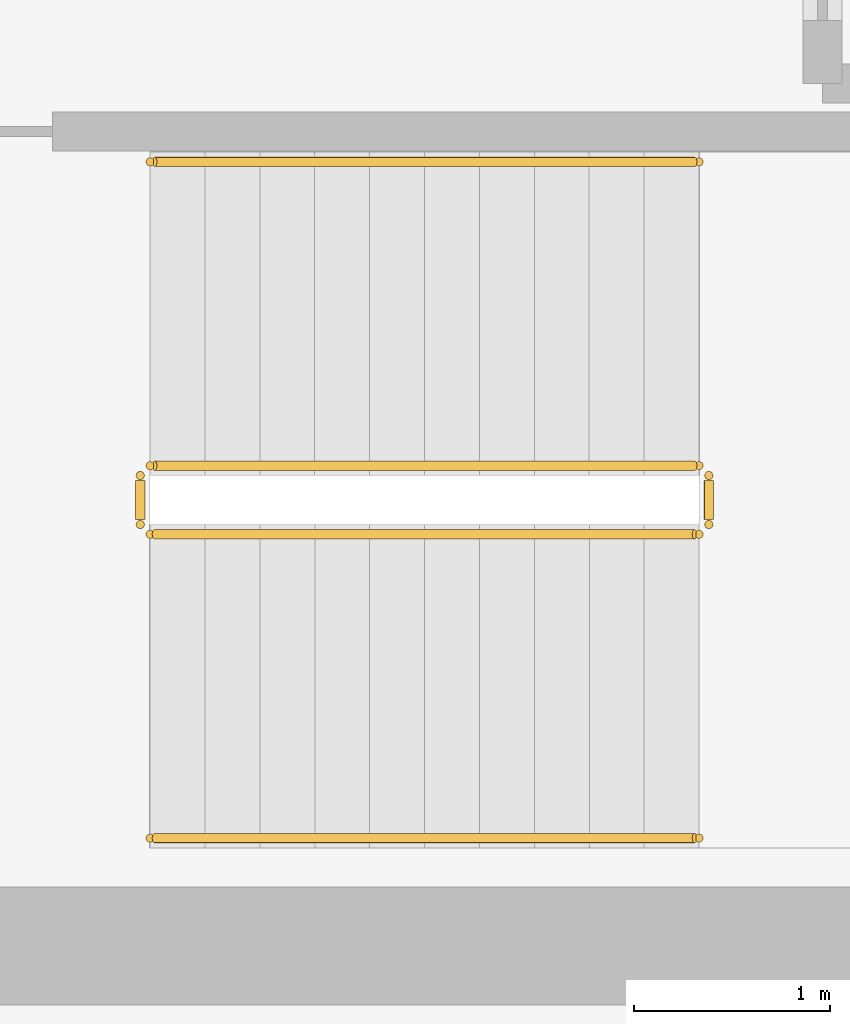
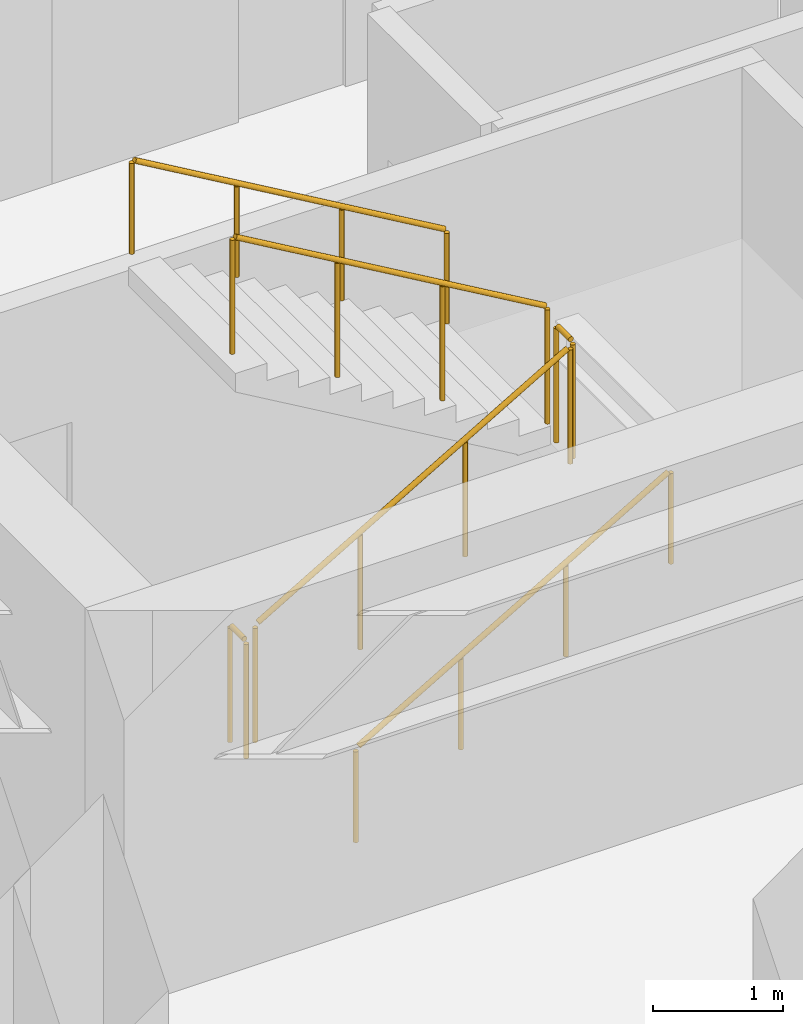
# One storey, part 13 of 13: 6 railings.
"""IFC4 building model written with IfcOpenShell, lengths in metres."""

import ifcopenshell
import ifcopenshell.guid

model = None  # the IFC model being written
_history = None  # IfcOwnerHistory: only IFC2X3 demands one
_inside = {}  # id of a spatial element -> (the spatial element, [elements in it])
_under = {}  # id of a project, library or spatial element -> (it, [spatial elements below it])
_declared = {}  # id of a project -> (the project, [libraries it declares])
_typed = {}  # id of a type object -> (the type object, [elements of that type])
_made_of = {}  # id of a material, layer set ... -> (it, [elements and type objects made of it])


def new_model(schema):
    """Start an empty IFC model of exactly this schema.

    Asked for "IFC4X3", IfcOpenShell would pick the latest addendum, in which some entities
    have other attributes; the version numbers below select the first issue.
    IFC2X3 requires an IfcOwnerHistory on every rooted entity: one is made here for all.
    """
    global model, _history
    if schema == "IFC4X3":
        model = ifcopenshell.file(schema_version=(4, 3, 0, 0))
    else:
        model = ifcopenshell.file(schema=schema)
    _inside.clear()
    _under.clear()
    _declared.clear()
    _typed.clear()
    _made_of.clear()
    _history = None
    if model.schema == "IFC2X3":
        org = make("IfcOrganization", Name="unknown")
        user = make(
            "IfcPersonAndOrganization",
            ThePerson=make("IfcPerson", FamilyName="unknown"),
            TheOrganization=org,
        )
        app = make(
            "IfcApplication",
            ApplicationDeveloper=org,
            Version="unknown",
            ApplicationFullName="unknown",
            ApplicationIdentifier="unknown",
        )
        _history = make(
            "IfcOwnerHistory",
            OwningUser=user,
            OwningApplication=app,
            ChangeAction="ADDED",
            CreationDate=0,
        )
    return model


def make(cls, **values):
    """One entity of the class cls with the attributes given. An attribute that is None is left unset."""
    return model.create_entity(
        cls, **{name: value for name, value in values.items() if value is not None}
    )


def rooted(cls, **values):
    """An entity with a GlobalId (a new one), such as an element, a storey or a relation."""
    return make(cls, GlobalId=ifcopenshell.guid.new(), OwnerHistory=_history, **values)


def si_unit(unit_type, name, prefix=None):
    """IfcSIUnit, for example si_unit("LENGTHUNIT", "METRE", prefix="MILLI")."""
    return make("IfcSIUnit", UnitType=unit_type, Prefix=prefix, Name=name)


def assignment(units):
    """IfcUnitAssignment: the units of a project."""
    return None if units is None else make("IfcUnitAssignment", Units=units)


def point(xyz):
    """IfcCartesianPoint."""
    return None if xyz is None else make("IfcCartesianPoint", Coordinates=xyz)


def direction(xyz):
    """IfcDirection."""
    return None if xyz is None else make("IfcDirection", DirectionRatios=xyz)


def frame(location, z_axis=None, x_axis=None):
    """IfcAxis2Placement3D, a coordinate frame: its origin and axes. An axis left out is left unset."""
    return make(
        "IfcAxis2Placement3D",
        Location=point(location),
        Axis=direction(z_axis),
        RefDirection=direction(x_axis),
    )


def frame_2d(location, x_axis=None):
    """IfcAxis2Placement2D, a coordinate frame in the plane: its origin and x axis."""
    return make(
        "IfcAxis2Placement2D", Location=point(location), RefDirection=direction(x_axis)
    )


def origin():
    """The frame at (0, 0, 0) with its axes left unset."""
    return frame((0.0, 0.0, 0.0))


def origin_2d():
    """The frame at (0, 0) in the plane with its x axis left unset."""
    return frame_2d((0.0, 0.0))


def place(relative_to, where):
    """IfcLocalPlacement: puts the frame where relative to a parent placement (None: the world)."""
    return make(
        "IfcLocalPlacement", PlacementRelTo=relative_to, RelativePlacement=where
    )


def context(
    kind, dimensions, precision=None, world=None, true_north=None, identifier=None
):
    """IfcGeometricRepresentationContext, for example the 3D "Model" context."""
    return make(
        "IfcGeometricRepresentationContext",
        ContextIdentifier=identifier,
        ContextType=kind,
        CoordinateSpaceDimension=dimensions,
        Precision=precision,
        WorldCoordinateSystem=world,
        TrueNorth=true_north,
    )


def subcontext(parent, identifier, kind, view, scale=None):
    """IfcGeometricRepresentationSubContext, for example "Body" below "Model"."""
    return make(
        "IfcGeometricRepresentationSubContext",
        ContextIdentifier=identifier,
        ContextType=kind,
        ParentContext=parent,
        TargetScale=scale,
        TargetView=view,
    )


def project(units=None, contexts=None):
    """IfcProject with its units and contexts."""
    return rooted(
        "IfcProject",
        Name="project",
        RepresentationContexts=contexts,
        UnitsInContext=assignment(units),
    )


def spatial(cls, under=None, at=None, **own):
    """A site, building, storey or space (cls), placed at a placement, below another one or the project."""
    s = rooted(cls, ObjectPlacement=at, **own)
    if under is not None:
        _under.setdefault(under.id(), (under, []))[1].append(s)
    return s


def profile(cls, at=None, kind="AREA", **sizes):
    """A parametric profile (cls). Its sizes go by their IFC names, for example OverallWidth=200.0."""
    return make(cls, ProfileType=kind, Position=at, **sizes)


def circle(**sizes):
    """IfcCircleProfileDef."""
    return profile("IfcCircleProfileDef", **sizes)


def extrude(swept, where, along, depth):
    """IfcExtrudedAreaSolid: the profile swept, set in the frame where, extruded along a direction by depth."""
    return make(
        "IfcExtrudedAreaSolid",
        SweptArea=swept,
        Position=where,
        ExtrudedDirection=direction(along),
        Depth=depth,
    )


def shape(context_of_items, identifier, shape_type, items):
    """IfcShapeRepresentation: the items that make up one representation, for example the "Body"."""
    return make(
        "IfcShapeRepresentation",
        ContextOfItems=context_of_items,
        RepresentationIdentifier=identifier,
        RepresentationType=shape_type,
        Items=items,
    )


def source(mapping_origin, context_of_items, identifier, shape_type, items):
    """IfcRepresentationMap: a shape defined once, which mapped items show again and again."""
    return make(
        "IfcRepresentationMap",
        MappingOrigin=mapping_origin,
        MappedRepresentation=shape(context_of_items, identifier, shape_type, items),
    )


def transform(
    local_origin,
    x_axis=None,
    y_axis=None,
    z_axis=None,
    scale=None,
    scale2=None,
    scale3=None,
    uniform=True,
):
    """IfcCartesianTransformationOperator3D, or its non-uniform kind. x_axis, y_axis, z_axis: its Axis1, 2, 3."""
    if uniform:
        return make(
            "IfcCartesianTransformationOperator3D",
            Axis1=direction(x_axis),
            Axis2=direction(y_axis),
            LocalOrigin=point(local_origin),
            Scale=scale,
            Axis3=direction(z_axis),
        )
    return make(
        "IfcCartesianTransformationOperator3DnonUniform",
        Axis1=direction(x_axis),
        Axis2=direction(y_axis),
        LocalOrigin=point(local_origin),
        Scale=scale,
        Axis3=direction(z_axis),
        Scale2=scale2,
        Scale3=scale3,
    )


def mapped(mapping_source, mapping_target):
    """IfcMappedItem: shows the shape of a source again, moved by a transform."""
    return make(
        "IfcMappedItem", MappingSource=mapping_source, MappingTarget=mapping_target
    )


def material(Name=None, Category=None):
    """IfcMaterial."""
    return make("IfcMaterial", Name=Name, Category=Category)


def layer(
    of_material, thickness, ventilated=None, Name=None, Category=None, Priority=None
):
    """IfcMaterialLayer: one layer of a wall or slab, of a material (None: an air gap)."""
    return make(
        "IfcMaterialLayer",
        Material=of_material,
        LayerThickness=thickness,
        IsVentilated=ventilated,
        Name=Name,
        Category=Category,
        Priority=Priority,
    )


def layer_set(layers, Name=None):
    """IfcMaterialLayerSet."""
    return make("IfcMaterialLayerSet", MaterialLayers=layers, LayerSetName=Name)


def made_of(thing, what):
    """Note that an element or type object is made of a material, layer set ...; save() writes the relation."""
    if what is not None:
        _made_of.setdefault(what.id(), (what, []))[1].append(thing)
    return thing


def type_object(cls, material=None, **own):
    """A type object (cls), such as IfcWallType, which elements share."""
    return made_of(rooted(cls, **own), material)


def element(
    cls,
    number,
    at=None,
    inside=None,
    cuts=None,
    type_object=None,
    material=None,
    context=None,
    identifier="Body",
    shape_type=None,
    held_by="IfcProductDefinitionShape",
    body=None,
    shapes=None,
    **own,
):
    """One element of the class cls, such as IfcWall. Its Tag is "e" and its number.

    at: its placement. inside: the storey or other place that contains it. cuts: it is an
    opening in that element (IfcRelVoidsElement). A single representation is given by context,
    identifier, shape_type and body (its items); several are given by shapes. held_by: the class
    of the entity that holds the representations. save() writes the other relations.
    """
    e = rooted(cls, Tag="e%d" % number, ObjectPlacement=at, **own)
    if body is not None:
        shapes = [shape(context, identifier, shape_type, body)]
    if shapes is not None:
        e.Representation = make(held_by, Representations=shapes)
    if inside is not None:
        _inside.setdefault(inside.id(), (inside, []))[1].append(e)
    if cuts is not None:
        rooted(
            "IfcRelVoidsElement", RelatingBuildingElement=cuts, RelatedOpeningElement=e
        )
    if type_object is not None:
        _typed.setdefault(type_object.id(), (type_object, []))[1].append(e)
    return made_of(e, material)


def aggregate(whole, parts):
    """IfcRelAggregates: a whole, such as a stair, and the parts it consists of."""
    return rooted("IfcRelAggregates", RelatingObject=whole, RelatedObjects=parts)


def save(model, path):
    """Write the relations noted so far, then the file.

    IfcRelAggregates (storeys below a building ...), IfcRelContainedInSpatialStructure (elements
    in a storey), IfcRelDefinesByType, IfcRelAssociatesMaterial and IfcRelDeclares: one each for
    every whole, place, type object, material and project.
    """
    for whole, parts in _under.values():
        aggregate(whole, parts)
    for where, things in _inside.values():
        rooted(
            "IfcRelContainedInSpatialStructure",
            RelatedElements=things,
            RelatingStructure=where,
        )
    for kind, things in _typed.values():
        rooted("IfcRelDefinesByType", RelatedObjects=things, RelatingType=kind)
    for what, things in _made_of.values():
        rooted("IfcRelAssociatesMaterial", RelatedObjects=things, RelatingMaterial=what)
    for by, libraries in _declared.values():
        rooted("IfcRelDeclares", RelatingContext=by, RelatedDefinitions=libraries)
    model.write(path)


model = new_model("IFC4")

# Units and contexts
model_context = context("Model", 3, precision=1e-05, world=origin(), true_north=direction((0.0, 1.0)))
body_context = subcontext(model_context, "Body", "Model", "MODEL_VIEW")
ifc_project = project(units=[si_unit("LENGTHUNIT", "METRE"), si_unit("AREAUNIT", "SQUARE_METRE"), si_unit("VOLUMEUNIT", "CUBIC_METRE"), si_unit("PLANEANGLEUNIT", "RADIAN"), si_unit("MASSUNIT", "GRAM", prefix="KILO")], contexts=[model_context])

# Site, building, storey
site_placement = place(None, origin())
site = spatial("IfcSite", under=ifc_project, at=site_placement, CompositionType="ELEMENT")
building_placement = place(site_placement, origin())
building = spatial("IfcBuilding", under=site, at=building_placement, Name="Kharzan Plaza Tower", CompositionType="ELEMENT")
storey_placement = place(building_placement, frame((0.0, 0.0, 161.10009765625)))
storey = spatial("IfcBuildingStorey", under=building, at=storey_placement, Name="L43", CompositionType="ELEMENT", Elevation=161.10009765625)

# Railings
ifc_material_1 = material(Name="Painted Galvanized Architectural Steel", Category="steel")
ifc_layer_1 = layer(ifc_material_1, 0.074951171875)
ifc_layer_set_1 = layer_set([ifc_layer_1], Name="Painted Galvanized Architectural Steel")
railing_type_1 = type_object("IfcRailingType", Name="RL-GUARD-1120", PredefinedType="BALUSTRADE", material=ifc_layer_set_1)
shared_shape_1 = source(origin(), body_context, "Body", "SweptSolid", [
    extrude(circle(Radius=0.02392578125, at=origin_2d()), frame((0.0, 0.0263671875, 1.09619140625), z_axis=(0.0, 1.0, 0.0), x_axis=(-1.0, 0.0, 0.0)), (0.0, 0.0, 1.0), 0.197021484375),
    extrude(circle(Radius=0.02099609375, at=origin_2d()), origin(), (0.0, 0.0, 1.0), 1.072021484375),
    extrude(circle(Radius=0.02099609375, at=origin_2d()), frame((0.0, 0.25, 0.0)), (0.0, 0.0, 1.0), 1.072021484375),
])
for number, where, name in (
    (1, (41.10009765625, 6.64990234375, 1.7998046875), "L43 ST-3 stair guard 2"),
    (2, (38.199951171875, 6.64990234375, 0.0), "L43 ST-3 stair guard 4"),
):
    element("IfcRailing", number, at=place(storey_placement, frame(where)), inside=storey, type_object=railing_type_1, Name=name, PredefinedType="BALUSTRADE", context=body_context, shape_type="MappedRepresentation", body=[
        mapped(shared_shape_1, transform((0.0, 0.0, 0.0), x_axis=(1.0, 0.0, 0.0), y_axis=(0.0, 1.0, 0.0), z_axis=(0.0, 0.0, 1.0))),
    ])
shared_shape_2 = source(origin(), body_context, "Body", "SweptSolid", [
    extrude(circle(Radius=0.02392578125, at=origin_2d()), frame((0.02294921875, 0.0, 1.109375), z_axis=(0.863393664356, 0.0, 0.504530851732), x_axis=(0.0, 1.0, 0.0)), (0.0, 0.0, 1.0), 3.190185546875),
    extrude(circle(Radius=0.02099609375, at=origin_2d()), origin(), (0.0, 0.0, 1.0), 1.072021484375),
    extrude(circle(Radius=0.02099609375, at=origin_2d()), frame((0.933349609375, 0.0, 0.54541015625)), (0.0, 0.0, 1.0), 1.072021484375),
    extrude(circle(Radius=0.02099609375, at=origin_2d()), frame((1.86669921875, 0.0, 1.0908203125)), (0.0, 0.0, 1.0), 1.072021484375),
    extrude(circle(Radius=0.02099609375, at=origin_2d()), frame((2.800048828125, 0.0, 1.63623046875)), (0.0, 0.0, 1.0), 1.072021484375),
])
railing_1_placement = place(storey_placement, frame((38.25, 6.60009765625, 0.16357421875)))
element("IfcRailing", 3, at=railing_1_placement, inside=storey, type_object=railing_type_1, Name="L43 ST-3 stair guard 1", PredefinedType="BALUSTRADE", context=body_context, shape_type="MappedRepresentation", body=[
    mapped(shared_shape_2, transform((0.0, 0.0, 0.0), x_axis=(1.0, 0.0, 0.0), y_axis=(0.0, 1.0, 0.0), z_axis=(0.0, 0.0, 1.0))),
])
shared_shape_3 = source(origin(), body_context, "Body", "SweptSolid", [
    extrude(circle(Radius=0.02392578125, at=origin_2d()), frame((-0.02294921875, 0.0, 1.109375), z_axis=(-0.863393664356, 0.0, 0.504530851732), x_axis=(0.0, -1.0, 0.0)), (0.0, 0.0, 1.0), 3.190185546875),
    extrude(circle(Radius=0.02099609375, at=origin_2d()), origin(), (0.0, 0.0, 1.0), 1.072021484375),
    extrude(circle(Radius=0.02099609375, at=origin_2d()), frame((-0.933349609375, 0.0, 0.54541015625)), (0.0, 0.0, 1.0), 1.072021484375),
    extrude(circle(Radius=0.02099609375, at=origin_2d()), frame((-1.86669921875, 0.0, 1.0908203125)), (0.0, 0.0, 1.0), 1.072021484375),
    extrude(circle(Radius=0.02099609375, at=origin_2d()), frame((-2.800048828125, 0.0, 1.63623046875)), (0.0, 0.0, 1.0), 1.072021484375),
])
railing_2_placement = place(storey_placement, frame((41.050048828125, 6.949951171875, 1.963623046875)))
element("IfcRailing", 4, at=railing_2_placement, inside=storey, type_object=railing_type_1, Name="L43 ST-3 stair guard 3", PredefinedType="BALUSTRADE", context=body_context, shape_type="MappedRepresentation", body=[
    mapped(shared_shape_3, transform((0.0, 0.0, 0.0), x_axis=(1.0, 0.0, 0.0), y_axis=(0.0, 1.0, 0.0), z_axis=(0.0, 0.0, 1.0))),
])
ifc_material_2 = material(Name="Brushed Stainless Steel", Category="steel")
ifc_layer_2 = layer(ifc_material_2, 0.050048828125)
ifc_layer_set_2 = layer_set([ifc_layer_2], Name="Brushed Stainless Steel")
railing_type_2 = type_object("IfcRailingType", Name="RL-STAIR-HR920", PredefinedType="HANDRAIL", material=ifc_layer_set_2)
shared_shape_4 = source(origin(), body_context, "Body", "SweptSolid", [
    extrude(circle(Radius=0.02392578125, at=origin_2d()), frame((0.02294921875, 0.0, 0.88916015625), z_axis=(0.863393664356, 0.0, 0.504530851732), x_axis=(0.0, 1.0, 0.0)), (0.0, 0.0, 1.0), 3.190185546875),
    extrude(circle(Radius=0.02099609375, at=origin_2d()), origin(), (0.0, 0.0, 1.0), 0.851806640625),
    extrude(circle(Radius=0.02099609375, at=origin_2d()), frame((0.933349609375, 0.0, 0.54541015625)), (0.0, 0.0, 1.0), 0.851806640625),
    extrude(circle(Radius=0.02099609375, at=origin_2d()), frame((1.86669921875, 0.0, 1.0908203125)), (0.0, 0.0, 1.0), 0.851806640625),
    extrude(circle(Radius=0.02099609375, at=origin_2d()), frame((2.800048828125, 0.0, 1.63623046875)), (0.0, 0.0, 1.0), 0.851806640625),
])
railing_3_placement = place(storey_placement, frame((38.25, 5.050048828125, 0.16357421875)))
element("IfcRailing", 5, at=railing_3_placement, inside=storey, type_object=railing_type_2, Name="L43 ST-3 stair handrail 1", PredefinedType="HANDRAIL", context=body_context, shape_type="MappedRepresentation", body=[
    mapped(shared_shape_4, transform((0.0, 0.0, 0.0), x_axis=(1.0, 0.0, 0.0), y_axis=(0.0, 1.0, 0.0), z_axis=(0.0, 0.0, 1.0))),
])
shared_shape_5 = source(origin(), body_context, "Body", "SweptSolid", [
    extrude(circle(Radius=0.02392578125, at=origin_2d()), frame((-0.02294921875, 0.0, 0.88916015625), z_axis=(-0.863393664356, 0.0, 0.504530851732), x_axis=(0.0, -1.0, 0.0)), (0.0, 0.0, 1.0), 3.190185546875),
    extrude(circle(Radius=0.02099609375, at=origin_2d()), origin(), (0.0, 0.0, 1.0), 0.851806640625),
    extrude(circle(Radius=0.02099609375, at=origin_2d()), frame((-0.933349609375, 0.0, 0.54541015625)), (0.0, 0.0, 1.0), 0.851806640625),
    extrude(circle(Radius=0.02099609375, at=origin_2d()), frame((-1.86669921875, 0.0, 1.0908203125)), (0.0, 0.0, 1.0), 0.851806640625),
    extrude(circle(Radius=0.02099609375, at=origin_2d()), frame((-2.800048828125, 0.0, 1.63623046875)), (0.0, 0.0, 1.0), 0.851806640625),
])
railing_4_placement = place(storey_placement, frame((41.050048828125, 8.5, 1.963623046875)))
element("IfcRailing", 6, at=railing_4_placement, inside=storey, type_object=railing_type_2, Name="L43 ST-3 stair handrail 2", PredefinedType="HANDRAIL", context=body_context, shape_type="MappedRepresentation", body=[
    mapped(shared_shape_5, transform((0.0, 0.0, 0.0), x_axis=(1.0, 0.0, 0.0), y_axis=(0.0, 1.0, 0.0), z_axis=(0.0, 0.0, 1.0))),
])

save(model, "model.ifc")
